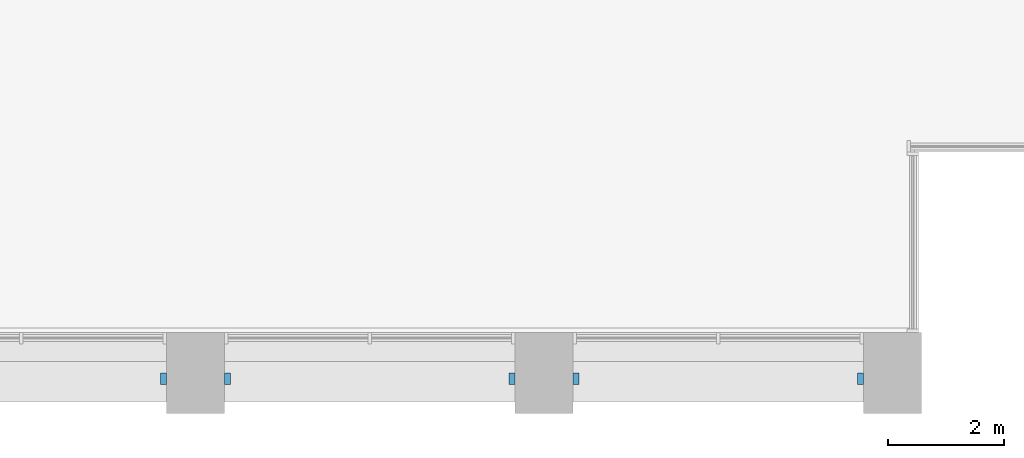
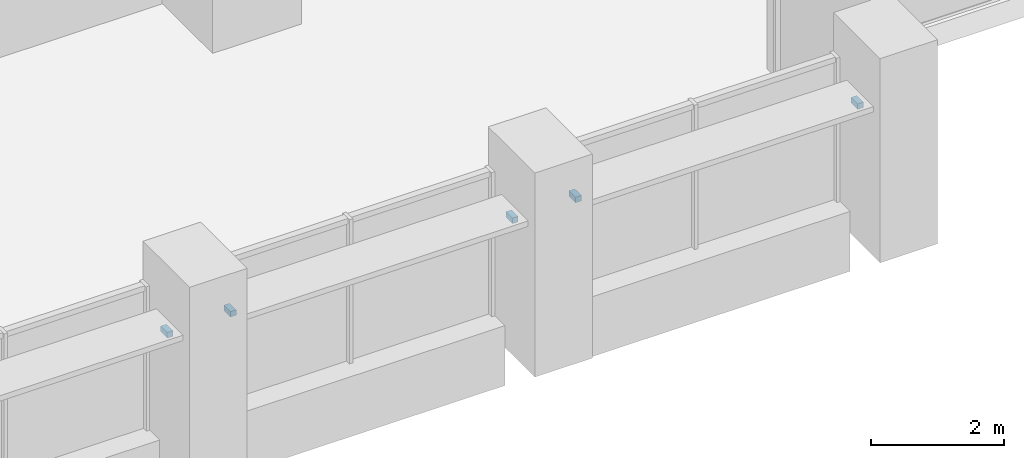
# One storey, part 16 of 17: 5 discrete accessories.
"""IFC4 building model written with IfcOpenShell, lengths in metres."""

from ifc_helpers import new_model, si_unit, direction, frame, origin, origin_2d, place, context, subcontext, project, spatial, rectangle, extrude, element, save


model = new_model("IFC4")

# Units and contexts
model_context = context("Model", 3, precision=1e-05, world=origin(), true_north=direction((0.0, 1.0)))
body_context = subcontext(model_context, "Body", "Model", "MODEL_VIEW")
ifc_project = project(units=[si_unit("LENGTHUNIT", "METRE"), si_unit("AREAUNIT", "SQUARE_METRE"), si_unit("VOLUMEUNIT", "CUBIC_METRE"), si_unit("PLANEANGLEUNIT", "RADIAN"), si_unit("MASSUNIT", "GRAM", prefix="KILO")], contexts=[model_context])

# Site, building, storey
site_placement = place(None, origin())
site = spatial("IfcSite", under=ifc_project, at=site_placement, CompositionType="ELEMENT")
building_placement = place(site_placement, origin())
building = spatial("IfcBuilding", under=site, at=building_placement, Name="Calvaro Tower", CompositionType="ELEMENT")
storey_placement = place(building_placement, frame((0.0, 0.0, 75.0)))
storey = spatial("IfcBuildingStorey", under=building, at=storey_placement, Name="L18", CompositionType="ELEMENT", Elevation=75.0)

# Discrete accessories
for number, where, z_axis, x_axis, name in (
    (1, (59.449951171875, 0.60009765625, 2.14990234375), (0.0, 0.0, 1.0), (1.0, 0.0, 0.0), "Brise-soleil bracket"),
    (2, (60.550048828125, 0.60009765625, 2.14990234375), (0.0, 0.0, 1.0), (1.0, 0.0, 0.0), "Brise-soleil bracket"),
    (3, (65.449951171875, 0.60009765625, 2.14990234375), (0.0, 0.0, 1.0), (1.0, 0.0, 0.0), "Brise-soleil bracket"),
    (4, (66.550048828125, 0.60009765625, 2.14990234375), (0.0, 0.0, 1.0), (1.0, 0.0, 0.0), "Brise-soleil bracket"),
    (5, (71.449951171875, 0.60009765625, 2.14990234375), (0.0, 0.0, 1.0), (1.0, 0.0, 0.0), "Brise-soleil bracket"),
):
    element("IfcDiscreteAccessory", number, at=place(storey_placement, frame(where, z_axis=z_axis, x_axis=x_axis)), inside=storey, Name=name, PredefinedType="BRACKET", context=body_context, shape_type="SweptSolid", body=[
        extrude(rectangle(XDim=0.10009765625, YDim=0.199951171875, at=origin_2d()), origin(), (0.0, 0.0, 1.0), 0.10009765625),
    ])

save(model, "model.ifc")
